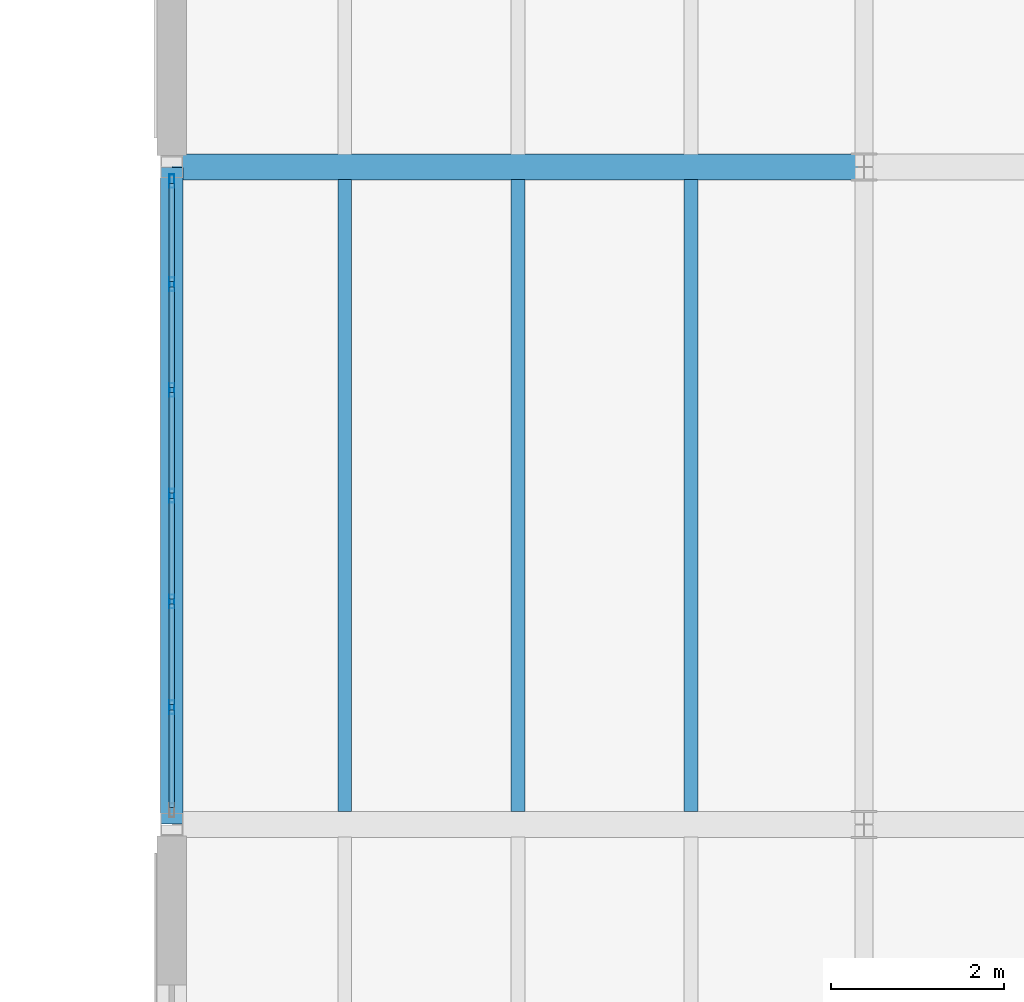
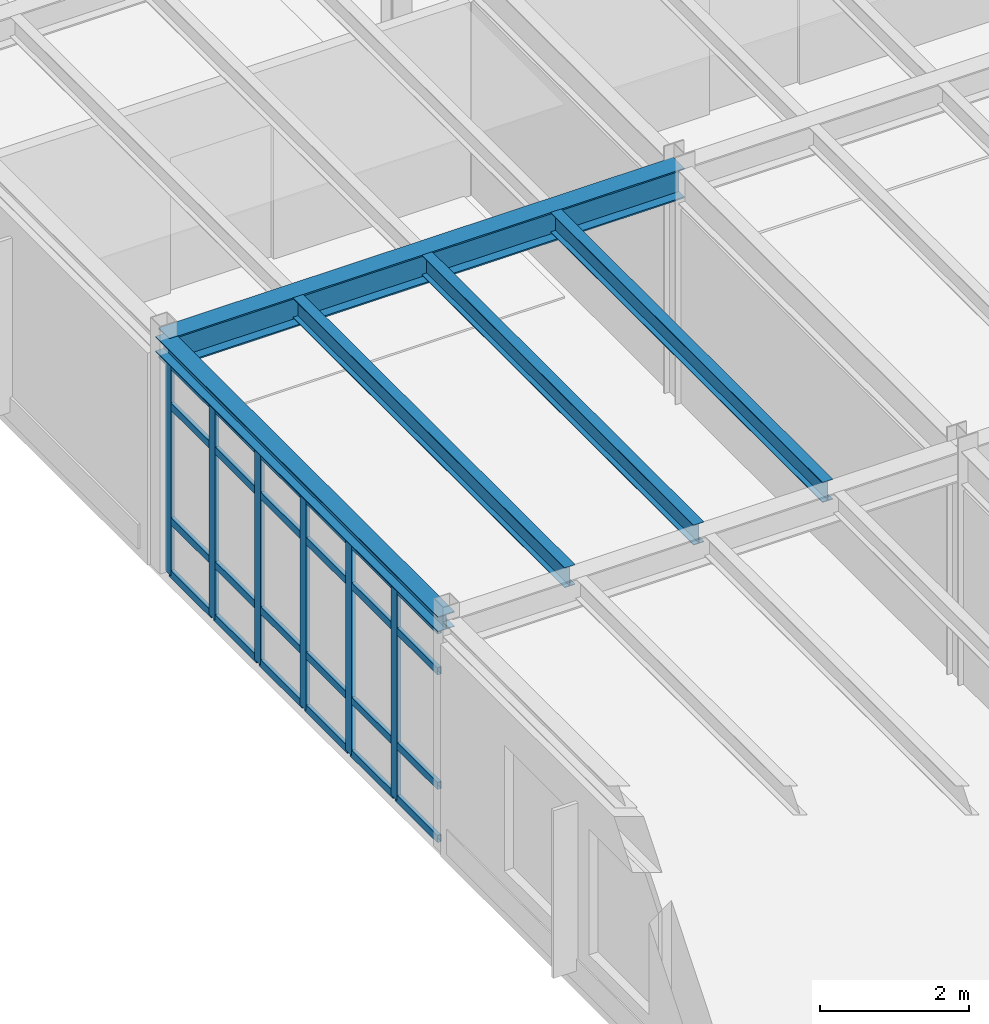
# One storey, part 115 of 189: 30 members, 5 beams, 1 element without a shape of its own.
"""IFC4 building model written with IfcOpenShell, lengths in metres."""

from ifc_helpers import new_model, si_unit, direction, frame, origin, origin_2d, place, context, subcontext, project, spatial, hollow_rectangle, i_section, extrude, material, layer, layer_set, material_profile, profile_set, type_object, element, aggregate, save


model = new_model("IFC4")

# Units and contexts
model_context = context("Model", 3, precision=1e-05, world=origin(), true_north=direction((0.0, 1.0)))
body_context = subcontext(model_context, "Body", "Model", "MODEL_VIEW")
ifc_project = project(units=[si_unit("LENGTHUNIT", "METRE"), si_unit("AREAUNIT", "SQUARE_METRE"), si_unit("VOLUMEUNIT", "CUBIC_METRE"), si_unit("PLANEANGLEUNIT", "RADIAN"), si_unit("MASSUNIT", "GRAM", prefix="KILO")], contexts=[model_context])

# Site, building, storey
site_placement = place(None, origin())
site = spatial("IfcSite", under=ifc_project, at=site_placement, CompositionType="ELEMENT")
building_placement = place(site_placement, origin())
building = spatial("IfcBuilding", under=site, at=building_placement, Name="Montecoro Central Library", CompositionType="ELEMENT")
storey_placement = place(building_placement, frame((0.0, 0.0, 9.179931640625)))
storey = spatial("IfcBuildingStorey", under=building, at=storey_placement, Name="L02", CompositionType="ELEMENT", Elevation=9.179931640625)

# Beams
ifc_material_1 = material(Name="Steel S355J2", Category="steel")
ifc_material_profile_1 = material_profile(ifc_material_1, i_section(OverallWidth=0.300048828125, OverallDepth=0.489990234375, WebThickness=0.011962890625, FlangeThickness=0.02294921875, at=origin_2d()), Name="HEA 500")
ifc_profile_set_1 = profile_set([ifc_material_profile_1], Name="Steel S355J2")
beam_type_1 = type_object("IfcBeamType", Name="BM-G-HEA500", PredefinedType="USERDEFINED", material=ifc_profile_set_1)
beam_1_placement = place(storey_placement, frame((141.0048828125, 27.800048828125, 3.580078125), z_axis=(1.0, 0.0, 0.0), x_axis=(0.0, 1.0, 0.0)))
element("IfcBeam", 1, at=beam_1_placement, inside=storey, type_object=beam_type_1, Name="V6-L02-BX-1819-D", ObjectType="GIRDER", PredefinedType="USERDEFINED", context=body_context, shape_type="SweptSolid", body=[
    extrude(i_section(OverallWidth=0.300048828125, OverallDepth=0.489990234375, WebThickness=0.011962890625, FlangeThickness=0.02294921875, at=origin_2d()), origin(), (0.0, 0.0, 1.0), 7.990234375),
])
ifc_material_2 = material(Name="Steel S355", Category="steel")
ifc_material_profile_2 = material_profile(ifc_material_2, i_section(OverallWidth=0.159912109375, OverallDepth=0.330078125, WebThickness=0.007568359375, FlangeThickness=0.011474609375, at=origin_2d()), Name="IPE 330")
ifc_profile_set_2 = profile_set([ifc_material_profile_2], Name="Steel S355")
beam_type_2 = type_object("IfcBeamType", Name="BM-J-IPE330", PredefinedType="JOIST", material=ifc_profile_set_2)
for number, where, z_axis, x_axis, name in (
    (2, (143.0, 20.346923828125, 3.66015625), (0.0, 1.0, 0.0), (-1.0, 0.0, 0.0), "V6-L02-JS-1819-CD-1"),
    (3, (145.0, 20.346923828125, 3.66015625), (0.0, 1.0, 0.0), (-1.0, 0.0, 0.0), "V6-L02-JS-1819-CD-2"),
    (4, (147.0, 20.346923828125, 3.66015625), (0.0, 1.0, 0.0), (-1.0, 0.0, 0.0), "V6-L02-JS-1819-CD-3"),
):
    element("IfcBeam", number, at=place(storey_placement, frame(where, z_axis=z_axis, x_axis=x_axis)), inside=storey, type_object=beam_type_2, Name=name, PredefinedType="JOIST", context=body_context, shape_type="SweptSolid", body=[
        extrude(i_section(OverallWidth=0.159912109375, OverallDepth=0.330078125, WebThickness=0.007568359375, FlangeThickness=0.011474609375, at=origin_2d()), origin(), (0.0, 0.0, 1.0), 7.30615234375),
    ])
ifc_material_profile_3 = material_profile(ifc_material_2, i_section(OverallWidth=0.260009765625, OverallDepth=0.25, WebThickness=0.007568359375, FlangeThickness=0.012451171875, at=origin_2d()), Name="HEA 260")
ifc_profile_set_3 = profile_set([ifc_material_profile_3], Name="Steel S355")
beam_type_3 = type_object("IfcBeamType", Name="BM-SP-HEA260", PredefinedType="SPANDREL", material=ifc_profile_set_3)
beam_2_placement = place(storey_placement, frame((141.0, 20.205078125, 3.699951171875), z_axis=(0.0, 1.0, 0.0), x_axis=(-1.0, 0.0, 0.0)))
element("IfcBeam", 5, at=beam_2_placement, inside=storey, type_object=beam_type_3, Name="V6-L02-BY-18-CD", PredefinedType="SPANDREL", context=body_context, shape_type="SweptSolid", body=[
    extrude(i_section(OverallWidth=0.260009765625, OverallDepth=0.25, WebThickness=0.007568359375, FlangeThickness=0.012451171875, at=origin_2d()), origin(), (0.0, 0.0, 1.0), 7.58984375),
])

# Curtain wall, members
ifc_material_3 = material(Name="Bronze-anodised aluminium and low-E glazing", Category="aluminium")
ifc_layer = layer(ifc_material_3, 0.159912109375)
ifc_layer_set = layer_set([ifc_layer], Name="Bronze-anodised aluminium and low-E glazing")
curtain_wall_type = type_object("IfcCurtainWallType", Name="CWT-067", PredefinedType="NOTDEFINED", material=ifc_layer_set)
curtain_wall_placement = place(storey_placement, origin())
curtain_wall = element("IfcCurtainWall", 6, at=curtain_wall_placement, inside=storey, type_object=curtain_wall_type, Name="V6-L02-CW-W2", PredefinedType="NOTDEFINED")
ifc_material_4 = material(Name="Bronze-anodised aluminium", Category="aluminium")
ifc_material_profile_4 = material_profile(ifc_material_4, hollow_rectangle(XDim=0.06005859375, YDim=0.159912109375, WallThickness=0.00390625, at=origin_2d()), Name="CWM 160x60x4.0")
ifc_profile_set_4 = profile_set([ifc_material_profile_4], Name="Bronze-anodised aluminium")
member_type_1 = type_object("IfcMemberType", Name="CWM-BRZ-60", PredefinedType="MULLION", material=ifc_profile_set_4)
member_1_placement = place(storey_placement, frame((141.0, 27.636962890625, 0.0), z_axis=(0.0, 0.0, 1.0), x_axis=(1.0, 0.0, 0.0)))
member_1 = element("IfcMember", 7, at=member_1_placement, type_object=member_type_1, Name="CW-067 mullion 1", PredefinedType="MULLION", context=body_context, shape_type="SweptSolid", body=[
    extrude(hollow_rectangle(XDim=0.06005859375, YDim=0.159912109375, WallThickness=0.00390625, at=origin_2d()), origin(), (0.0, 0.0, 1.0), 3.47998046875),
])
member_2_placement = place(storey_placement, frame((141.0, 26.444580078125, 0.0), z_axis=(0.0, 0.0, 1.0), x_axis=(1.0, 0.0, 0.0)))
member_2 = element("IfcMember", 8, at=member_2_placement, type_object=member_type_1, Name="CW-067 mullion 2", PredefinedType="MULLION", context=body_context, shape_type="SweptSolid", body=[
    extrude(hollow_rectangle(XDim=0.06005859375, YDim=0.159912109375, WallThickness=0.00390625, at=origin_2d()), origin(), (0.0, 0.0, 1.0), 3.47998046875),
])
member_3_placement = place(storey_placement, frame((141.0, 25.222412109375, 0.0), z_axis=(0.0, 0.0, 1.0), x_axis=(1.0, 0.0, 0.0)))
member_3 = element("IfcMember", 9, at=member_3_placement, type_object=member_type_1, Name="CW-067 mullion 3", PredefinedType="MULLION", context=body_context, shape_type="SweptSolid", body=[
    extrude(hollow_rectangle(XDim=0.06005859375, YDim=0.159912109375, WallThickness=0.00390625, at=origin_2d()), origin(), (0.0, 0.0, 1.0), 3.47998046875),
])
member_4_placement = place(storey_placement, frame((141.0, 24.0, 0.0), z_axis=(0.0, 0.0, 1.0), x_axis=(1.0, 0.0, 0.0)))
member_4 = element("IfcMember", 10, at=member_4_placement, type_object=member_type_1, Name="CW-067 mullion 4", PredefinedType="MULLION", context=body_context, shape_type="SweptSolid", body=[
    extrude(hollow_rectangle(XDim=0.06005859375, YDim=0.159912109375, WallThickness=0.00390625, at=origin_2d()), origin(), (0.0, 0.0, 1.0), 3.47998046875),
])
member_5_placement = place(storey_placement, frame((141.0, 22.777587890625, 0.0), z_axis=(0.0, 0.0, 1.0), x_axis=(1.0, 0.0, 0.0)))
member_5 = element("IfcMember", 11, at=member_5_placement, type_object=member_type_1, Name="CW-067 mullion 5", PredefinedType="MULLION", context=body_context, shape_type="SweptSolid", body=[
    extrude(hollow_rectangle(XDim=0.06005859375, YDim=0.159912109375, WallThickness=0.00390625, at=origin_2d()), origin(), (0.0, 0.0, 1.0), 3.47998046875),
])
member_6_placement = place(storey_placement, frame((141.0, 21.555419921875, 0.0), z_axis=(0.0, 0.0, 1.0), x_axis=(1.0, 0.0, 0.0)))
member_6 = element("IfcMember", 12, at=member_6_placement, type_object=member_type_1, Name="CW-067 mullion 6", PredefinedType="MULLION", context=body_context, shape_type="SweptSolid", body=[
    extrude(hollow_rectangle(XDim=0.06005859375, YDim=0.159912109375, WallThickness=0.00390625, at=origin_2d()), origin(), (0.0, 0.0, 1.0), 3.47998046875),
])
ifc_material_profile_5 = material_profile(ifc_material_4, hollow_rectangle(XDim=0.06005859375, YDim=0.1201171875, WallThickness=0.00390625, at=origin_2d()), Name="CWT 120x60x4.0")
ifc_profile_set_5 = profile_set([ifc_material_profile_5], Name="Bronze-anodised aluminium")
member_type_2 = type_object("IfcMemberType", Name="CWT-BRZ-60", PredefinedType="USERDEFINED", material=ifc_profile_set_5)
member_7_placement = place(storey_placement, frame((141.0, 27.60693359375, 0.030029296875), z_axis=(0.0, -1.0, 0.0), x_axis=(1.0, 0.0, 0.0)))
member_7 = element("IfcMember", 13, at=member_7_placement, type_object=member_type_2, Name="CW-067 transom 1.1", ObjectType="TRANSOM", PredefinedType="USERDEFINED", context=body_context, shape_type="SweptSolid", body=[
    extrude(hollow_rectangle(XDim=0.06005859375, YDim=0.1201171875, WallThickness=0.00390625, at=origin_2d()), origin(), (0.0, 0.0, 1.0), 1.13232421875),
])
member_8_placement = place(storey_placement, frame((141.0, 27.60693359375, 0.900146484375), z_axis=(0.0, -1.0, 0.0), x_axis=(1.0, 0.0, 0.0)))
member_8 = element("IfcMember", 14, at=member_8_placement, type_object=member_type_2, Name="CW-067 transom 1.2", ObjectType="TRANSOM", PredefinedType="USERDEFINED", context=body_context, shape_type="SweptSolid", body=[
    extrude(hollow_rectangle(XDim=0.06005859375, YDim=0.1201171875, WallThickness=0.00390625, at=origin_2d()), origin(), (0.0, 0.0, 1.0), 1.13232421875),
])
member_9_placement = place(storey_placement, frame((141.0, 27.60693359375, 2.780029296875), z_axis=(0.0, -1.0, 0.0), x_axis=(1.0, 0.0, 0.0)))
member_9 = element("IfcMember", 15, at=member_9_placement, type_object=member_type_2, Name="CW-067 transom 1.3", ObjectType="TRANSOM", PredefinedType="USERDEFINED", context=body_context, shape_type="SweptSolid", body=[
    extrude(hollow_rectangle(XDim=0.06005859375, YDim=0.1201171875, WallThickness=0.00390625, at=origin_2d()), origin(), (0.0, 0.0, 1.0), 1.13232421875),
])
member_10_placement = place(storey_placement, frame((141.0, 27.60693359375, 3.449951171875), z_axis=(0.0, -1.0, 0.0), x_axis=(1.0, 0.0, 0.0)))
member_10 = element("IfcMember", 16, at=member_10_placement, type_object=member_type_2, Name="CW-067 transom 1.4", ObjectType="TRANSOM", PredefinedType="USERDEFINED", context=body_context, shape_type="SweptSolid", body=[
    extrude(hollow_rectangle(XDim=0.06005859375, YDim=0.1201171875, WallThickness=0.00390625, at=origin_2d()), origin(), (0.0, 0.0, 1.0), 1.13232421875),
])
member_11_placement = place(storey_placement, frame((141.0, 26.41455078125, 0.030029296875), z_axis=(0.0, -1.0, 0.0), x_axis=(1.0, 0.0, 0.0)))
member_11 = element("IfcMember", 17, at=member_11_placement, type_object=member_type_2, Name="CW-067 transom 2.1", ObjectType="TRANSOM", PredefinedType="USERDEFINED", context=body_context, shape_type="SweptSolid", body=[
    extrude(hollow_rectangle(XDim=0.06005859375, YDim=0.1201171875, WallThickness=0.00390625, at=origin_2d()), origin(), (0.0, 0.0, 1.0), 1.162109375),
])
member_12_placement = place(storey_placement, frame((141.0, 26.41455078125, 0.900146484375), z_axis=(0.0, -1.0, 0.0), x_axis=(1.0, 0.0, 0.0)))
member_12 = element("IfcMember", 18, at=member_12_placement, type_object=member_type_2, Name="CW-067 transom 2.2", ObjectType="TRANSOM", PredefinedType="USERDEFINED", context=body_context, shape_type="SweptSolid", body=[
    extrude(hollow_rectangle(XDim=0.06005859375, YDim=0.1201171875, WallThickness=0.00390625, at=origin_2d()), origin(), (0.0, 0.0, 1.0), 1.162109375),
])
member_13_placement = place(storey_placement, frame((141.0, 26.41455078125, 2.780029296875), z_axis=(0.0, -1.0, 0.0), x_axis=(1.0, 0.0, 0.0)))
member_13 = element("IfcMember", 19, at=member_13_placement, type_object=member_type_2, Name="CW-067 transom 2.3", ObjectType="TRANSOM", PredefinedType="USERDEFINED", context=body_context, shape_type="SweptSolid", body=[
    extrude(hollow_rectangle(XDim=0.06005859375, YDim=0.1201171875, WallThickness=0.00390625, at=origin_2d()), origin(), (0.0, 0.0, 1.0), 1.162109375),
])
member_14_placement = place(storey_placement, frame((141.0, 26.41455078125, 3.449951171875), z_axis=(0.0, -1.0, 0.0), x_axis=(1.0, 0.0, 0.0)))
member_14 = element("IfcMember", 20, at=member_14_placement, type_object=member_type_2, Name="CW-067 transom 2.4", ObjectType="TRANSOM", PredefinedType="USERDEFINED", context=body_context, shape_type="SweptSolid", body=[
    extrude(hollow_rectangle(XDim=0.06005859375, YDim=0.1201171875, WallThickness=0.00390625, at=origin_2d()), origin(), (0.0, 0.0, 1.0), 1.162109375),
])
member_15_placement = place(storey_placement, frame((141.0, 25.1923828125, 0.030029296875), z_axis=(0.0, -1.0, 0.0), x_axis=(1.0, 0.0, 0.0)))
member_15 = element("IfcMember", 21, at=member_15_placement, type_object=member_type_2, Name="CW-067 transom 3.1", ObjectType="TRANSOM", PredefinedType="USERDEFINED", context=body_context, shape_type="SweptSolid", body=[
    extrude(hollow_rectangle(XDim=0.06005859375, YDim=0.1201171875, WallThickness=0.00390625, at=origin_2d()), origin(), (0.0, 0.0, 1.0), 1.162353515625),
])
member_16_placement = place(storey_placement, frame((141.0, 25.1923828125, 0.900146484375), z_axis=(0.0, -1.0, 0.0), x_axis=(1.0, 0.0, 0.0)))
member_16 = element("IfcMember", 22, at=member_16_placement, type_object=member_type_2, Name="CW-067 transom 3.2", ObjectType="TRANSOM", PredefinedType="USERDEFINED", context=body_context, shape_type="SweptSolid", body=[
    extrude(hollow_rectangle(XDim=0.06005859375, YDim=0.1201171875, WallThickness=0.00390625, at=origin_2d()), origin(), (0.0, 0.0, 1.0), 1.162353515625),
])
member_17_placement = place(storey_placement, frame((141.0, 25.1923828125, 2.780029296875), z_axis=(0.0, -1.0, 0.0), x_axis=(1.0, 0.0, 0.0)))
member_17 = element("IfcMember", 23, at=member_17_placement, type_object=member_type_2, Name="CW-067 transom 3.3", ObjectType="TRANSOM", PredefinedType="USERDEFINED", context=body_context, shape_type="SweptSolid", body=[
    extrude(hollow_rectangle(XDim=0.06005859375, YDim=0.1201171875, WallThickness=0.00390625, at=origin_2d()), origin(), (0.0, 0.0, 1.0), 1.162353515625),
])
member_18_placement = place(storey_placement, frame((141.0, 25.1923828125, 3.449951171875), z_axis=(0.0, -1.0, 0.0), x_axis=(1.0, 0.0, 0.0)))
member_18 = element("IfcMember", 24, at=member_18_placement, type_object=member_type_2, Name="CW-067 transom 3.4", ObjectType="TRANSOM", PredefinedType="USERDEFINED", context=body_context, shape_type="SweptSolid", body=[
    extrude(hollow_rectangle(XDim=0.06005859375, YDim=0.1201171875, WallThickness=0.00390625, at=origin_2d()), origin(), (0.0, 0.0, 1.0), 1.162353515625),
])
member_19_placement = place(storey_placement, frame((141.0, 23.969970703125, 0.030029296875), z_axis=(0.0, -1.0, 0.0), x_axis=(1.0, 0.0, 0.0)))
member_19 = element("IfcMember", 25, at=member_19_placement, type_object=member_type_2, Name="CW-067 transom 4.1", ObjectType="TRANSOM", PredefinedType="USERDEFINED", context=body_context, shape_type="SweptSolid", body=[
    extrude(hollow_rectangle(XDim=0.06005859375, YDim=0.1201171875, WallThickness=0.00390625, at=origin_2d()), origin(), (0.0, 0.0, 1.0), 1.162353515625),
])
member_20_placement = place(storey_placement, frame((141.0, 23.969970703125, 0.900146484375), z_axis=(0.0, -1.0, 0.0), x_axis=(1.0, 0.0, 0.0)))
member_20 = element("IfcMember", 26, at=member_20_placement, type_object=member_type_2, Name="CW-067 transom 4.2", ObjectType="TRANSOM", PredefinedType="USERDEFINED", context=body_context, shape_type="SweptSolid", body=[
    extrude(hollow_rectangle(XDim=0.06005859375, YDim=0.1201171875, WallThickness=0.00390625, at=origin_2d()), origin(), (0.0, 0.0, 1.0), 1.162353515625),
])
member_21_placement = place(storey_placement, frame((141.0, 23.969970703125, 2.780029296875), z_axis=(0.0, -1.0, 0.0), x_axis=(1.0, 0.0, 0.0)))
member_21 = element("IfcMember", 27, at=member_21_placement, type_object=member_type_2, Name="CW-067 transom 4.3", ObjectType="TRANSOM", PredefinedType="USERDEFINED", context=body_context, shape_type="SweptSolid", body=[
    extrude(hollow_rectangle(XDim=0.06005859375, YDim=0.1201171875, WallThickness=0.00390625, at=origin_2d()), origin(), (0.0, 0.0, 1.0), 1.162353515625),
])
member_22_placement = place(storey_placement, frame((141.0, 23.969970703125, 3.449951171875), z_axis=(0.0, -1.0, 0.0), x_axis=(1.0, 0.0, 0.0)))
member_22 = element("IfcMember", 28, at=member_22_placement, type_object=member_type_2, Name="CW-067 transom 4.4", ObjectType="TRANSOM", PredefinedType="USERDEFINED", context=body_context, shape_type="SweptSolid", body=[
    extrude(hollow_rectangle(XDim=0.06005859375, YDim=0.1201171875, WallThickness=0.00390625, at=origin_2d()), origin(), (0.0, 0.0, 1.0), 1.162353515625),
])
member_23_placement = place(storey_placement, frame((141.0, 22.74755859375, 0.030029296875), z_axis=(0.0, -1.0, 0.0), x_axis=(1.0, 0.0, 0.0)))
member_23 = element("IfcMember", 29, at=member_23_placement, type_object=member_type_2, Name="CW-067 transom 5.1", ObjectType="TRANSOM", PredefinedType="USERDEFINED", context=body_context, shape_type="SweptSolid", body=[
    extrude(hollow_rectangle(XDim=0.06005859375, YDim=0.1201171875, WallThickness=0.00390625, at=origin_2d()), origin(), (0.0, 0.0, 1.0), 1.162109375),
])
member_24_placement = place(storey_placement, frame((141.0, 22.74755859375, 0.900146484375), z_axis=(0.0, -1.0, 0.0), x_axis=(1.0, 0.0, 0.0)))
member_24 = element("IfcMember", 30, at=member_24_placement, type_object=member_type_2, Name="CW-067 transom 5.2", ObjectType="TRANSOM", PredefinedType="USERDEFINED", context=body_context, shape_type="SweptSolid", body=[
    extrude(hollow_rectangle(XDim=0.06005859375, YDim=0.1201171875, WallThickness=0.00390625, at=origin_2d()), origin(), (0.0, 0.0, 1.0), 1.162109375),
])
member_25_placement = place(storey_placement, frame((141.0, 22.74755859375, 2.780029296875), z_axis=(0.0, -1.0, 0.0), x_axis=(1.0, 0.0, 0.0)))
member_25 = element("IfcMember", 31, at=member_25_placement, type_object=member_type_2, Name="CW-067 transom 5.3", ObjectType="TRANSOM", PredefinedType="USERDEFINED", context=body_context, shape_type="SweptSolid", body=[
    extrude(hollow_rectangle(XDim=0.06005859375, YDim=0.1201171875, WallThickness=0.00390625, at=origin_2d()), origin(), (0.0, 0.0, 1.0), 1.162109375),
])
member_26_placement = place(storey_placement, frame((141.0, 22.74755859375, 3.449951171875), z_axis=(0.0, -1.0, 0.0), x_axis=(1.0, 0.0, 0.0)))
member_26 = element("IfcMember", 32, at=member_26_placement, type_object=member_type_2, Name="CW-067 transom 5.4", ObjectType="TRANSOM", PredefinedType="USERDEFINED", context=body_context, shape_type="SweptSolid", body=[
    extrude(hollow_rectangle(XDim=0.06005859375, YDim=0.1201171875, WallThickness=0.00390625, at=origin_2d()), origin(), (0.0, 0.0, 1.0), 1.162109375),
])
member_27_placement = place(storey_placement, frame((141.0, 21.525390625, 0.030029296875), z_axis=(0.0, -1.0, 0.0), x_axis=(1.0, 0.0, 0.0)))
member_27 = element("IfcMember", 33, at=member_27_placement, type_object=member_type_2, Name="CW-067 transom 6.1", ObjectType="TRANSOM", PredefinedType="USERDEFINED", context=body_context, shape_type="SweptSolid", body=[
    extrude(hollow_rectangle(XDim=0.06005859375, YDim=0.1201171875, WallThickness=0.00390625, at=origin_2d()), origin(), (0.0, 0.0, 1.0), 1.13232421875),
])
member_28_placement = place(storey_placement, frame((141.0, 21.525390625, 0.900146484375), z_axis=(0.0, -1.0, 0.0), x_axis=(1.0, 0.0, 0.0)))
member_28 = element("IfcMember", 34, at=member_28_placement, type_object=member_type_2, Name="CW-067 transom 6.2", ObjectType="TRANSOM", PredefinedType="USERDEFINED", context=body_context, shape_type="SweptSolid", body=[
    extrude(hollow_rectangle(XDim=0.06005859375, YDim=0.1201171875, WallThickness=0.00390625, at=origin_2d()), origin(), (0.0, 0.0, 1.0), 1.13232421875),
])
member_29_placement = place(storey_placement, frame((141.0, 21.525390625, 2.780029296875), z_axis=(0.0, -1.0, 0.0), x_axis=(1.0, 0.0, 0.0)))
member_29 = element("IfcMember", 35, at=member_29_placement, type_object=member_type_2, Name="CW-067 transom 6.3", ObjectType="TRANSOM", PredefinedType="USERDEFINED", context=body_context, shape_type="SweptSolid", body=[
    extrude(hollow_rectangle(XDim=0.06005859375, YDim=0.1201171875, WallThickness=0.00390625, at=origin_2d()), origin(), (0.0, 0.0, 1.0), 1.13232421875),
])
member_30_placement = place(storey_placement, frame((141.0, 21.525390625, 3.449951171875), z_axis=(0.0, -1.0, 0.0), x_axis=(1.0, 0.0, 0.0)))
member_30 = element("IfcMember", 36, at=member_30_placement, type_object=member_type_2, Name="CW-067 transom 6.4", ObjectType="TRANSOM", PredefinedType="USERDEFINED", context=body_context, shape_type="SweptSolid", body=[
    extrude(hollow_rectangle(XDim=0.06005859375, YDim=0.1201171875, WallThickness=0.00390625, at=origin_2d()), origin(), (0.0, 0.0, 1.0), 1.13232421875),
])
aggregate(curtain_wall, [member_1, member_2, member_3, member_4, member_5, member_6, member_7, member_8, member_9, member_10, member_11, member_12, member_13, member_14, member_15, member_16, member_17, member_18, member_19, member_20, member_21, member_22, member_23, member_24, member_25, member_26, member_27, member_28, member_29, member_30])

save(model, "model.ifc")
